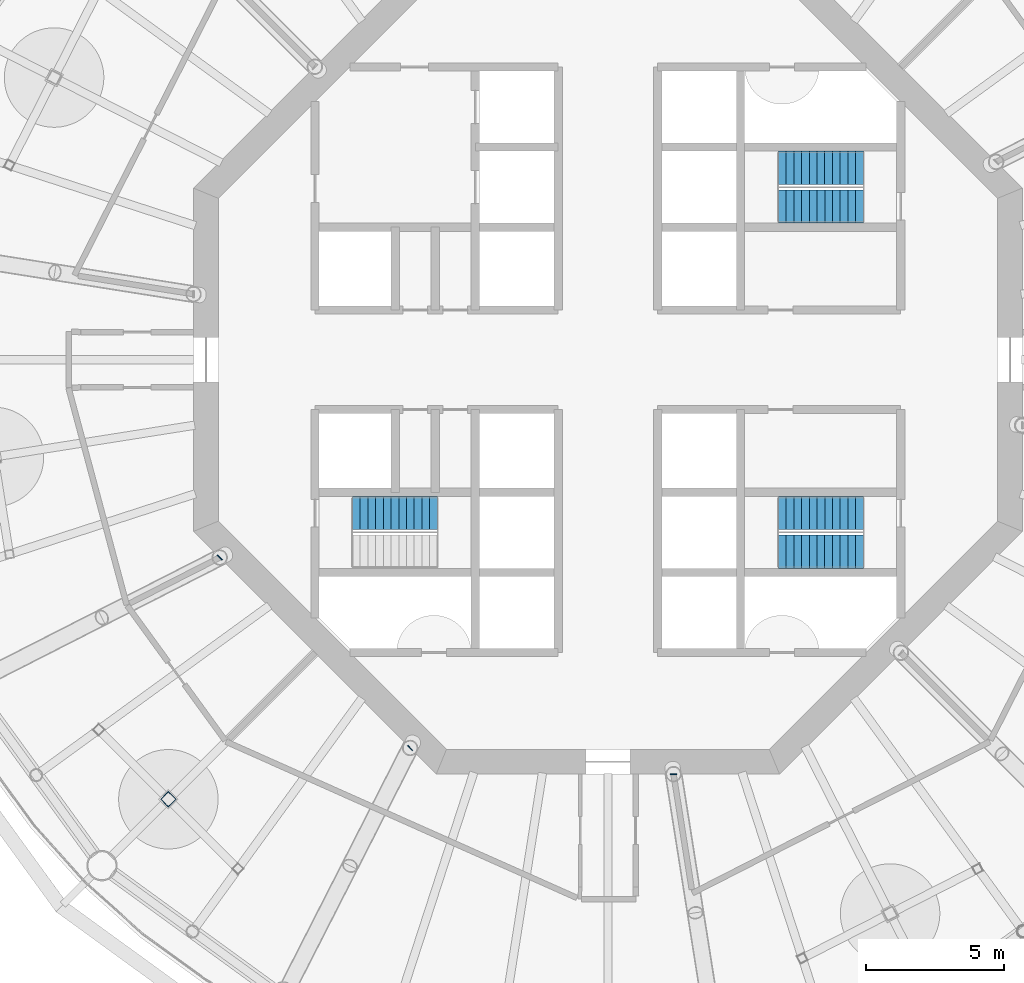
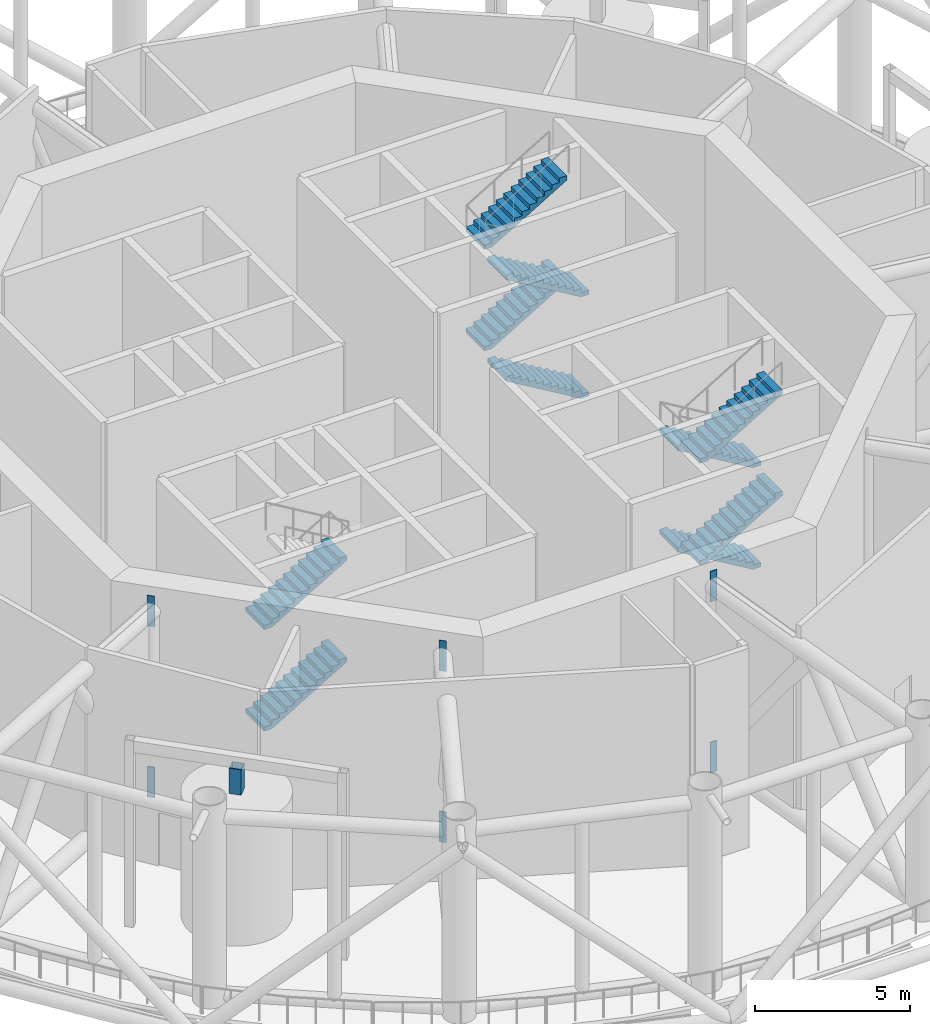
# One storey, part 14 of 22: 10 stair flights, 7 discrete accessories, 3 elements without a shape of their own.
"""IFC4 building model written with IfcOpenShell, lengths in metres."""

from ifc_helpers import new_model, si_unit, direction, frame, origin, origin_2d, place, context, subcontext, project, spatial, polyline, rectangle, hollow_rectangle, outline, extrude, material, type_object, element, aggregate, save


model = new_model("IFC4")

# Units and contexts
model_context = context("Model", 3, precision=1e-05, world=origin(), true_north=direction((0.0, 1.0)))
body_context = subcontext(model_context, "Body", "Model", "MODEL_VIEW")
ifc_project = project(units=[si_unit("LENGTHUNIT", "METRE"), si_unit("AREAUNIT", "SQUARE_METRE"), si_unit("VOLUMEUNIT", "CUBIC_METRE"), si_unit("PLANEANGLEUNIT", "RADIAN"), si_unit("MASSUNIT", "GRAM", prefix="KILO")], contexts=[model_context])

# Site, building, storey
site_placement = place(None, origin())
site = spatial("IfcSite", under=ifc_project, at=site_placement, CompositionType="ELEMENT")
building_placement = place(site_placement, origin())
building = spatial("IfcBuilding", under=site, at=building_placement, Name="Entoto Ring Tower", CompositionType="ELEMENT")
storey_placement = place(building_placement, frame((0.0, 0.0, 230.0)))
storey = spatial("IfcBuildingStorey", under=building, at=storey_placement, Name="L53", CompositionType="ELEMENT", Elevation=230.0)

# Stair, stair flights
ifc_material_1 = material(Name="Concrete C40/50", Category="concrete")
stair_type = type_object("IfcStairType", Name="Exit stair 1200 mm dog-leg reinforced concrete", PredefinedType="HALF_TURN_STAIR", material=ifc_material_1)
stair_1_placement = place(storey_placement, origin())
stair_1 = element("IfcStair", 1, at=stair_1_placement, inside=storey, type_object=stair_type, Name="Exit stair 1", PredefinedType="HALF_TURN_STAIR")
ifc_material_2 = material(Name="Concrete C40/50", Category="concrete")
stair_flight_type = type_object("IfcStairFlightType", Name="Stair flight 1200 mm reinforced concrete", PredefinedType="STRAIGHT", material=ifc_material_2)
stair_flight_1_placement = place(storey_placement, frame((99.25, 85.550048828125, 0.0), z_axis=(0.0, 0.0, 1.0), x_axis=(-1.0, 0.0, 0.0)))
stair_flight_1 = element("IfcStairFlight", 2, at=stair_flight_1_placement, type_object=stair_flight_type, Name="ST1 flight 1", NumberOfRisers=12, NumberOfTreads=11, PredefinedType="STRAIGHT", RiserHeight=0.166666667, TreadLength=0.28, context=body_context, shape_type="SweptSolid", body=[
    extrude(outline(polyline([(0.0, 0.0), (0.0, 0.166748046875), (0.280029296875, 0.166748046875), (0.280029296875, 0.333251953125), (0.56005859375, 0.333251953125), (0.56005859375, 0.5), (0.840087890625, 0.5), (0.840087890625, 0.666748046875), (1.1201171875, 0.666748046875), (1.1201171875, 0.833251953125), (1.39990234375, 0.833251953125), (1.39990234375, 1.0), (1.679931640625, 1.0), (1.679931640625, 1.166748046875), (1.9599609375, 1.166748046875), (1.9599609375, 1.333251953125), (2.239990234375, 1.333251953125), (2.239990234375, 1.5), (2.52001953125, 1.5), (2.52001953125, 1.666748046875), (2.800048828125, 1.666748046875), (2.800048828125, 1.833251953125), (3.080078125, 1.833251953125), (3.080078125, 2.0), (3.080078125, 1.658935546875), (0.29296875, 0.0), (0.0, 0.0)])), frame((0.0, 0.60009765625, 0.0), z_axis=(0.0, -1.0, 0.0), x_axis=(1.0, 0.0, 0.0)), (0.0, 0.0, 1.0), 1.199951171875),
])
stair_flight_2_placement = place(storey_placement, frame((96.169921875, 86.949951171875, 2.0), z_axis=(0.0, 0.0, 1.0), x_axis=(1.0, 0.0, 0.0)))
stair_flight_2 = element("IfcStairFlight", 3, at=stair_flight_2_placement, type_object=stair_flight_type, Name="ST1 flight 2", NumberOfRisers=12, NumberOfTreads=11, PredefinedType="STRAIGHT", RiserHeight=0.166666667, TreadLength=0.28, context=body_context, shape_type="SweptSolid", body=[
    extrude(outline(polyline([(0.0, 0.0), (0.0, 0.166748046875), (0.280029296875, 0.166748046875), (0.280029296875, 0.333251953125), (0.56005859375, 0.333251953125), (0.56005859375, 0.5), (0.840087890625, 0.5), (0.840087890625, 0.666748046875), (1.1201171875, 0.666748046875), (1.1201171875, 0.833251953125), (1.39990234375, 0.833251953125), (1.39990234375, 1.0), (1.679931640625, 1.0), (1.679931640625, 1.166748046875), (1.9599609375, 1.166748046875), (1.9599609375, 1.333251953125), (2.239990234375, 1.333251953125), (2.239990234375, 1.5), (2.52001953125, 1.5), (2.52001953125, 1.666748046875), (2.800048828125, 1.666748046875), (2.800048828125, 1.833251953125), (3.080078125, 1.833251953125), (3.080078125, 2.0), (3.080078125, 1.658935546875), (0.29296875, 0.0), (0.0, 0.0)])), frame((0.0, 0.60009765625, 0.0), z_axis=(0.0, -1.0, 0.0), x_axis=(1.0, 0.0, 0.0)), (0.0, 0.0, 1.0), 1.199951171875),
])
stair_flight_3_placement = place(storey_placement, frame((99.25, 85.550048828125, 4.0), z_axis=(0.0, 0.0, 1.0), x_axis=(-1.0, 0.0, 0.0)))
stair_flight_3 = element("IfcStairFlight", 4, at=stair_flight_3_placement, type_object=stair_flight_type, Name="ST1 flight 3", NumberOfRisers=12, NumberOfTreads=11, PredefinedType="STRAIGHT", RiserHeight=0.166666667, TreadLength=0.28, context=body_context, shape_type="SweptSolid", body=[
    extrude(outline(polyline([(0.0, 0.0), (0.0, 0.166748046875), (0.280029296875, 0.166748046875), (0.280029296875, 0.333251953125), (0.56005859375, 0.333251953125), (0.56005859375, 0.5), (0.840087890625, 0.5), (0.840087890625, 0.666748046875), (1.1201171875, 0.666748046875), (1.1201171875, 0.833251953125), (1.39990234375, 0.833251953125), (1.39990234375, 1.0), (1.679931640625, 1.0), (1.679931640625, 1.166748046875), (1.9599609375, 1.166748046875), (1.9599609375, 1.333251953125), (2.239990234375, 1.333251953125), (2.239990234375, 1.5), (2.52001953125, 1.5), (2.52001953125, 1.666748046875), (2.800048828125, 1.666748046875), (2.800048828125, 1.833251953125), (3.080078125, 1.833251953125), (3.080078125, 2.0), (3.080078125, 1.658935546875), (0.29296875, 0.0), (0.0, 0.0)])), frame((0.0, 0.60009765625, 0.0), z_axis=(0.0, -1.0, 0.0), x_axis=(1.0, 0.0, 0.0)), (0.0, 0.0, 1.0), 1.199951171875),
])
stair_flight_4_placement = place(storey_placement, frame((96.169921875, 86.949951171875, 6.0), z_axis=(0.0, 0.0, 1.0), x_axis=(1.0, 0.0, 0.0)))
stair_flight_4 = element("IfcStairFlight", 5, at=stair_flight_4_placement, type_object=stair_flight_type, Name="ST1 flight 4", NumberOfRisers=12, NumberOfTreads=11, PredefinedType="STRAIGHT", RiserHeight=0.166666667, TreadLength=0.28, context=body_context, shape_type="SweptSolid", body=[
    extrude(outline(polyline([(0.0, 0.0), (0.0, 0.166748046875), (0.280029296875, 0.166748046875), (0.280029296875, 0.333251953125), (0.56005859375, 0.333251953125), (0.56005859375, 0.5), (0.840087890625, 0.5), (0.840087890625, 0.666748046875), (1.1201171875, 0.666748046875), (1.1201171875, 0.833251953125), (1.39990234375, 0.833251953125), (1.39990234375, 1.0), (1.679931640625, 1.0), (1.679931640625, 1.166748046875), (1.9599609375, 1.166748046875), (1.9599609375, 1.333251953125), (2.239990234375, 1.333251953125), (2.239990234375, 1.5), (2.52001953125, 1.5), (2.52001953125, 1.666748046875), (2.800048828125, 1.666748046875), (2.800048828125, 1.833251953125), (3.080078125, 1.833251953125), (3.080078125, 2.0), (3.080078125, 1.658935546875), (0.29296875, 0.0), (0.0, 0.0)])), frame((0.0, 0.60009765625, 0.0), z_axis=(0.0, -1.0, 0.0), x_axis=(1.0, 0.0, 0.0)), (0.0, 0.0, 1.0), 1.199951171875),
])
aggregate(stair_1, [stair_flight_1, stair_flight_2, stair_flight_3, stair_flight_4])

stair_2_placement = place(storey_placement, origin())
stair_2 = element("IfcStair", 6, at=stair_2_placement, inside=storey, type_object=stair_type, Name="Exit stair 2", PredefinedType="HALF_TURN_STAIR")
stair_flight_5_placement = place(storey_placement, frame((80.75, 74.449951171875, 0.0), z_axis=(0.0, 0.0, 1.0), x_axis=(1.0, 0.0, 0.0)))
stair_flight_5 = element("IfcStairFlight", 7, at=stair_flight_5_placement, type_object=stair_flight_type, Name="ST2 flight 1", NumberOfRisers=12, NumberOfTreads=11, PredefinedType="STRAIGHT", RiserHeight=0.166666667, TreadLength=0.28, context=body_context, shape_type="SweptSolid", body=[
    extrude(outline(polyline([(0.0, 0.0), (0.0, 0.166748046875), (0.280029296875, 0.166748046875), (0.280029296875, 0.333251953125), (0.56005859375, 0.333251953125), (0.56005859375, 0.5), (0.840087890625, 0.5), (0.840087890625, 0.666748046875), (1.1201171875, 0.666748046875), (1.1201171875, 0.833251953125), (1.39990234375, 0.833251953125), (1.39990234375, 1.0), (1.679931640625, 1.0), (1.679931640625, 1.166748046875), (1.9599609375, 1.166748046875), (1.9599609375, 1.333251953125), (2.239990234375, 1.333251953125), (2.239990234375, 1.5), (2.52001953125, 1.5), (2.52001953125, 1.666748046875), (2.800048828125, 1.666748046875), (2.800048828125, 1.833251953125), (3.080078125, 1.833251953125), (3.080078125, 2.0), (3.080078125, 1.658935546875), (0.29296875, 0.0), (0.0, 0.0)])), frame((0.0, 0.60009765625, 0.0), z_axis=(0.0, -1.0, 0.0), x_axis=(1.0, 0.0, 0.0)), (0.0, 0.0, 1.0), 1.199951171875),
])
stair_flight_6_placement = place(storey_placement, frame((80.75, 74.449951171875, 4.0), z_axis=(0.0, 0.0, 1.0), x_axis=(1.0, 0.0, 0.0)))
stair_flight_6 = element("IfcStairFlight", 8, at=stair_flight_6_placement, type_object=stair_flight_type, Name="ST2 flight 3", NumberOfRisers=12, NumberOfTreads=11, PredefinedType="STRAIGHT", RiserHeight=0.166666667, TreadLength=0.28, context=body_context, shape_type="SweptSolid", body=[
    extrude(outline(polyline([(0.0, 0.0), (0.0, 0.166748046875), (0.280029296875, 0.166748046875), (0.280029296875, 0.333251953125), (0.56005859375, 0.333251953125), (0.56005859375, 0.5), (0.840087890625, 0.5), (0.840087890625, 0.666748046875), (1.1201171875, 0.666748046875), (1.1201171875, 0.833251953125), (1.39990234375, 0.833251953125), (1.39990234375, 1.0), (1.679931640625, 1.0), (1.679931640625, 1.166748046875), (1.9599609375, 1.166748046875), (1.9599609375, 1.333251953125), (2.239990234375, 1.333251953125), (2.239990234375, 1.5), (2.52001953125, 1.5), (2.52001953125, 1.666748046875), (2.800048828125, 1.666748046875), (2.800048828125, 1.833251953125), (3.080078125, 1.833251953125), (3.080078125, 2.0), (3.080078125, 1.658935546875), (0.29296875, 0.0), (0.0, 0.0)])), frame((0.0, 0.60009765625, 0.0), z_axis=(0.0, -1.0, 0.0), x_axis=(1.0, 0.0, 0.0)), (0.0, 0.0, 1.0), 1.199951171875),
])
aggregate(stair_2, [stair_flight_5, stair_flight_6])

stair_3_placement = place(storey_placement, origin())
stair_3 = element("IfcStair", 9, at=stair_3_placement, inside=storey, type_object=stair_type, Name="Exit stair 3", PredefinedType="HALF_TURN_STAIR")
stair_flight_7_placement = place(storey_placement, frame((99.25, 74.449951171875, 0.0), z_axis=(0.0, 0.0, 1.0), x_axis=(-1.0, 0.0, 0.0)))
stair_flight_7 = element("IfcStairFlight", 10, at=stair_flight_7_placement, type_object=stair_flight_type, Name="ST3 flight 1", NumberOfRisers=12, NumberOfTreads=11, PredefinedType="STRAIGHT", RiserHeight=0.166666667, TreadLength=0.28, context=body_context, shape_type="SweptSolid", body=[
    extrude(outline(polyline([(0.0, 0.0), (0.0, 0.166748046875), (0.280029296875, 0.166748046875), (0.280029296875, 0.333251953125), (0.56005859375, 0.333251953125), (0.56005859375, 0.5), (0.840087890625, 0.5), (0.840087890625, 0.666748046875), (1.1201171875, 0.666748046875), (1.1201171875, 0.833251953125), (1.39990234375, 0.833251953125), (1.39990234375, 1.0), (1.679931640625, 1.0), (1.679931640625, 1.166748046875), (1.9599609375, 1.166748046875), (1.9599609375, 1.333251953125), (2.239990234375, 1.333251953125), (2.239990234375, 1.5), (2.52001953125, 1.5), (2.52001953125, 1.666748046875), (2.800048828125, 1.666748046875), (2.800048828125, 1.833251953125), (3.080078125, 1.833251953125), (3.080078125, 2.0), (3.080078125, 1.658935546875), (0.29296875, 0.0), (0.0, 0.0)])), frame((0.0, 0.60009765625, 0.0), z_axis=(0.0, -1.0, 0.0), x_axis=(1.0, 0.0, 0.0)), (0.0, 0.0, 1.0), 1.199951171875),
])
stair_flight_8_placement = place(storey_placement, frame((96.169921875, 73.050048828125, 2.0), z_axis=(0.0, 0.0, 1.0), x_axis=(1.0, 0.0, 0.0)))
stair_flight_8 = element("IfcStairFlight", 11, at=stair_flight_8_placement, type_object=stair_flight_type, Name="ST3 flight 2", NumberOfRisers=12, NumberOfTreads=11, PredefinedType="STRAIGHT", RiserHeight=0.166666667, TreadLength=0.28, context=body_context, shape_type="SweptSolid", body=[
    extrude(outline(polyline([(0.0, 0.0), (0.0, 0.166748046875), (0.280029296875, 0.166748046875), (0.280029296875, 0.333251953125), (0.56005859375, 0.333251953125), (0.56005859375, 0.5), (0.840087890625, 0.5), (0.840087890625, 0.666748046875), (1.1201171875, 0.666748046875), (1.1201171875, 0.833251953125), (1.39990234375, 0.833251953125), (1.39990234375, 1.0), (1.679931640625, 1.0), (1.679931640625, 1.166748046875), (1.9599609375, 1.166748046875), (1.9599609375, 1.333251953125), (2.239990234375, 1.333251953125), (2.239990234375, 1.5), (2.52001953125, 1.5), (2.52001953125, 1.666748046875), (2.800048828125, 1.666748046875), (2.800048828125, 1.833251953125), (3.080078125, 1.833251953125), (3.080078125, 2.0), (3.080078125, 1.658935546875), (0.29296875, 0.0), (0.0, 0.0)])), frame((0.0, 0.60009765625, 0.0), z_axis=(0.0, -1.0, 0.0), x_axis=(1.0, 0.0, 0.0)), (0.0, 0.0, 1.0), 1.199951171875),
])
stair_flight_9_placement = place(storey_placement, frame((99.25, 74.449951171875, 4.0), z_axis=(0.0, 0.0, 1.0), x_axis=(-1.0, 0.0, 0.0)))
stair_flight_9 = element("IfcStairFlight", 12, at=stair_flight_9_placement, type_object=stair_flight_type, Name="ST3 flight 3", NumberOfRisers=12, NumberOfTreads=11, PredefinedType="STRAIGHT", RiserHeight=0.166666667, TreadLength=0.28, context=body_context, shape_type="SweptSolid", body=[
    extrude(outline(polyline([(0.0, 0.0), (0.0, 0.166748046875), (0.280029296875, 0.166748046875), (0.280029296875, 0.333251953125), (0.56005859375, 0.333251953125), (0.56005859375, 0.5), (0.840087890625, 0.5), (0.840087890625, 0.666748046875), (1.1201171875, 0.666748046875), (1.1201171875, 0.833251953125), (1.39990234375, 0.833251953125), (1.39990234375, 1.0), (1.679931640625, 1.0), (1.679931640625, 1.166748046875), (1.9599609375, 1.166748046875), (1.9599609375, 1.333251953125), (2.239990234375, 1.333251953125), (2.239990234375, 1.5), (2.52001953125, 1.5), (2.52001953125, 1.666748046875), (2.800048828125, 1.666748046875), (2.800048828125, 1.833251953125), (3.080078125, 1.833251953125), (3.080078125, 2.0), (3.080078125, 1.658935546875), (0.29296875, 0.0), (0.0, 0.0)])), frame((0.0, 0.60009765625, 0.0), z_axis=(0.0, -1.0, 0.0), x_axis=(1.0, 0.0, 0.0)), (0.0, 0.0, 1.0), 1.199951171875),
])
stair_flight_10_placement = place(storey_placement, frame((96.169921875, 73.050048828125, 6.0), z_axis=(0.0, 0.0, 1.0), x_axis=(1.0, 0.0, 0.0)))
stair_flight_10 = element("IfcStairFlight", 13, at=stair_flight_10_placement, type_object=stair_flight_type, Name="ST3 flight 4", NumberOfRisers=12, NumberOfTreads=11, PredefinedType="STRAIGHT", RiserHeight=0.166666667, TreadLength=0.28, context=body_context, shape_type="SweptSolid", body=[
    extrude(outline(polyline([(0.0, 0.0), (0.0, 0.166748046875), (0.280029296875, 0.166748046875), (0.280029296875, 0.333251953125), (0.56005859375, 0.333251953125), (0.56005859375, 0.5), (0.840087890625, 0.5), (0.840087890625, 0.666748046875), (1.1201171875, 0.666748046875), (1.1201171875, 0.833251953125), (1.39990234375, 0.833251953125), (1.39990234375, 1.0), (1.679931640625, 1.0), (1.679931640625, 1.166748046875), (1.9599609375, 1.166748046875), (1.9599609375, 1.333251953125), (2.239990234375, 1.333251953125), (2.239990234375, 1.5), (2.52001953125, 1.5), (2.52001953125, 1.666748046875), (2.800048828125, 1.666748046875), (2.800048828125, 1.833251953125), (3.080078125, 1.833251953125), (3.080078125, 2.0), (3.080078125, 1.658935546875), (0.29296875, 0.0), (0.0, 0.0)])), frame((0.0, 0.60009765625, 0.0), z_axis=(0.0, -1.0, 0.0), x_axis=(1.0, 0.0, 0.0)), (0.0, 0.0, 1.0), 1.199951171875),
])
aggregate(stair_3, [stair_flight_7, stair_flight_8, stair_flight_9, stair_flight_10])

# Discrete accessories
ifc_material_3 = material(Name="Steel S355", Category="steel")
for number, where, z_axis, x_axis, name in (
    (14, (75.947021484375, 72.839599609375, -0.294921875), (0.0, 0.0, 1.0), (-0.707106781187, -0.707106781187, 0.0), "Embedded plate L53 bottom 06"),
    (15, (75.947021484375, 72.839599609375, 6.44482421875), (0.0, 0.0, 1.0), (-0.707106781187, -0.707106781187, 0.0), "Embedded plate L53 top 06"),
    (16, (82.839599609375, 65.947021484375, -0.294921875), (0.0, 0.0, 1.0), (-0.707106781187, -0.707106781187, 0.0), "Embedded plate L53 bottom 07"),
    (17, (82.839599609375, 65.947021484375, 6.44482421875), (0.0, 0.0, 1.0), (-0.707106781187, -0.707106781187, 0.0), "Embedded plate L53 top 07"),
    (18, (92.375732421875, 65.0, -0.294921875), (0.0, 0.0, 1.0), (0.0, -1.0, 0.0), "Embedded plate L53 bottom 08"),
    (19, (92.375732421875, 65.0, 6.44482421875), (0.0, 0.0, 1.0), (0.0, -1.0, 0.0), "Embedded plate L53 top 08"),
):
    element("IfcDiscreteAccessory", number, at=place(storey_placement, frame(where, z_axis=z_axis, x_axis=x_axis)), inside=storey, material=ifc_material_3, Name=name, PredefinedType="ANCHORPLATE", context=body_context, shape_type="SweptSolid", body=[
        extrude(rectangle(XDim=0.0400390625, YDim=0.25, at=origin_2d()), origin(), (0.0, 0.0, 1.0), 1.199951171875),
    ])
discrete_accessory_placement = place(storey_placement, frame((74.090087890625, 64.090087890625, 5.89990234375), z_axis=(0.0, 0.0, 1.0), x_axis=(0.707106781187, -0.707106781187, 0.0)))
element("IfcDiscreteAccessory", 20, at=discrete_accessory_placement, inside=storey, material=ifc_material_3, Name="TURBINE BEARING 6", PredefinedType="BRACKET", context=body_context, shape_type="SweptSolid", body=[
    extrude(hollow_rectangle(XDim=0.39990234375, YDim=0.39990234375, WallThickness=0.01611328125, at=origin_2d()), origin(), (0.0, 0.0, 1.0), 1.0),
])

save(model, "model.ifc")
